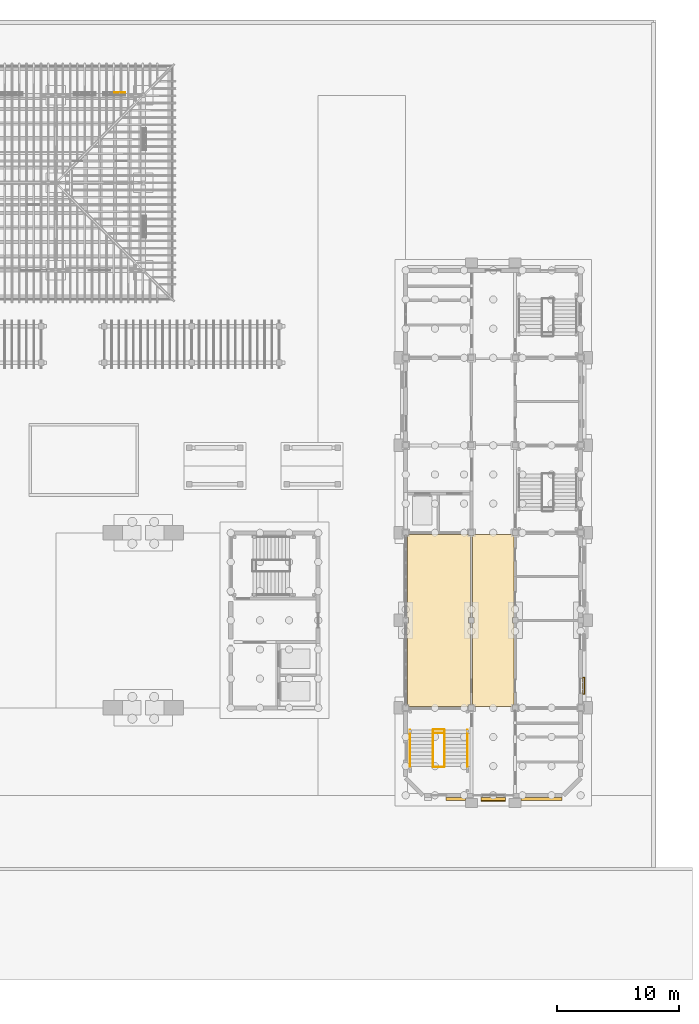
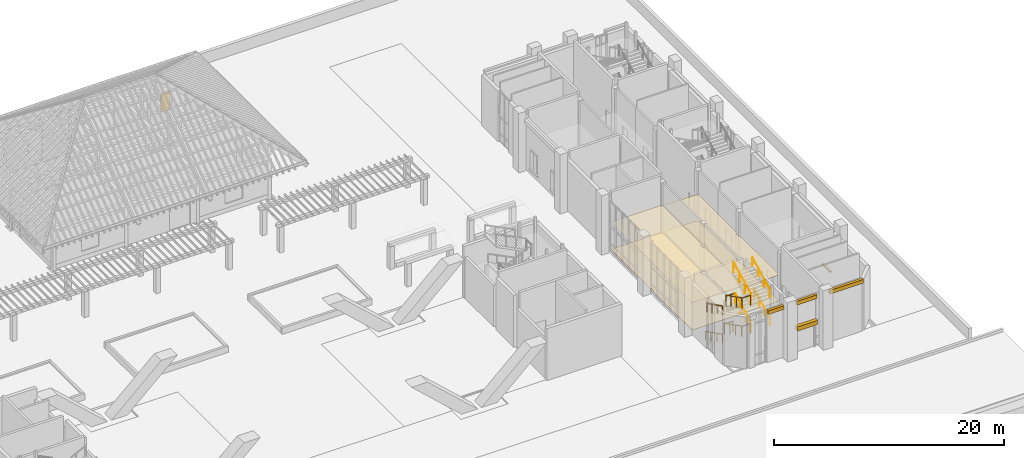
# One storey, part 78 of 84: 12 railings, 10 coverings.
"""IFC4 building model written with IfcOpenShell, lengths in metres."""

from ifc_helpers import new_model, si_unit, direction, frame, origin, origin_2d, place, context, subcontext, project, spatial, polyline, rectangle, circle, outline, extrude, material, layer, layer_set, type_object, element, save


model = new_model("IFC4")

# Units and contexts
model_context = context("Model", 3, precision=1e-05, world=origin(), true_north=direction((0.0, 1.0)))
body_context = subcontext(model_context, "Body", "Model", "MODEL_VIEW")
ifc_project = project(units=[si_unit("LENGTHUNIT", "METRE"), si_unit("AREAUNIT", "SQUARE_METRE"), si_unit("VOLUMEUNIT", "CUBIC_METRE"), si_unit("PLANEANGLEUNIT", "RADIAN"), si_unit("MASSUNIT", "GRAM", prefix="KILO")], contexts=[model_context])

# Site, building, storey
site_placement = place(None, origin())
site = spatial("IfcSite", under=ifc_project, at=site_placement, CompositionType="ELEMENT")
building_placement = place(site_placement, origin())
building = spatial("IfcBuilding", under=site, at=building_placement, Name="Mazhai Court Health Centre", CompositionType="ELEMENT")
storey_placement = place(building_placement, origin())
storey = spatial("IfcBuildingStorey", under=building, at=storey_placement, Name="L00", CompositionType="ELEMENT", Elevation=0.0)

# Coverings
ifc_material_1 = material(Name="Clay brick masonry", Category="masonry")
ifc_layer_1 = layer(ifc_material_1, 0.25)
ifc_layer_set_1 = layer_set([ifc_layer_1], Name="BRICK BAND 250")
covering_type_1 = type_object("IfcCoveringType", Name="BRICK BAND 250", PredefinedType="MOLDING", material=ifc_layer_set_1)
covering_1_placement = place(storey_placement, frame((0.0, 0.0, 5.25)))
element("IfcCovering", 1, at=covering_1_placement, inside=storey, type_object=covering_type_1, Name="EB-V6-L00-Sp1-0", PredefinedType="MOLDING", context=body_context, shape_type="SweptSolid", body=[
    extrude(outline(polyline([(140.699951171875, 6.034912109375), (139.1201171875, 6.034912109375), (139.1201171875, 5.784912109375), (140.699951171875, 5.784912109375), (140.699951171875, 6.034912109375)])), origin(), (0.0, 0.0, 1.0), 0.39990234375),
])
covering_2_placement = place(storey_placement, frame((0.0, 0.0, 5.25)))
element("IfcCovering", 2, at=covering_2_placement, inside=storey, type_object=covering_type_1, Name="EB-V6-L00-Sp2-0", PredefinedType="MOLDING", context=body_context, shape_type="SweptSolid", body=[
    extrude(outline(polyline([(144.0, 6.034912109375), (142.0, 6.034912109375), (142.0, 5.784912109375), (144.0, 5.784912109375), (144.0, 6.034912109375)])), origin(), (0.0, 0.0, 1.0), 0.39990234375),
])
covering_3_placement = place(storey_placement, frame((0.0, 0.0, 5.25)))
element("IfcCovering", 3, at=covering_3_placement, inside=storey, type_object=covering_type_1, Name="EB-V6-L00-Sp3-0", PredefinedType="MOLDING", context=body_context, shape_type="SweptSolid", body=[
    extrude(outline(polyline([(148.6689453125, 6.034912109375), (145.300048828125, 6.034912109375), (145.300048828125, 5.784912109375), (148.6689453125, 5.784912109375), (148.6689453125, 6.034912109375)])), origin(), (0.0, 0.0, 1.0), 0.39990234375),
])
ifc_material_2 = material(Name="Clay brick masonry", Category="masonry")
ifc_layer_2 = layer(ifc_material_2, 0.35009765625)
ifc_layer_set_2 = layer_set([ifc_layer_2], Name="BRICK PORTAL LINTEL 350")
covering_type_2 = type_object("IfcCoveringType", Name="BRICK PORTAL LINTEL 350", PredefinedType="MOLDING", material=ifc_layer_set_2)
covering_4_placement = place(storey_placement, frame((0.0, 0.0, 2.550048828125)))
element("IfcCovering", 4, at=covering_4_placement, inside=storey, type_object=covering_type_2, Name="EL-V6-L00-S", PredefinedType="MOLDING", context=body_context, shape_type="SweptSolid", body=[
    extrude(outline(polyline([(144.0, 6.034912109375), (142.0, 6.034912109375), (142.0, 5.68505859375), (144.0, 5.68505859375), (144.0, 6.034912109375)])), origin(), (0.0, 0.0, 1.0), 0.449951171875),
])
ifc_material_3 = material(Name="Clay brick masonry", Category="masonry")
ifc_layer_3 = layer(ifc_material_3, 0.14990234375)
ifc_layer_set_3 = layer_set([ifc_layer_3], Name="BRICK SILL COURSE 150")
covering_type_3 = type_object("IfcCoveringType", Name="BRICK SILL COURSE 150", PredefinedType="MOLDING", material=ifc_layer_set_3)
covering_5_placement = place(storey_placement, frame((0.0, 0.0, 0.47998046875)))
element("IfcCovering", 5, at=covering_5_placement, inside=storey, type_object=covering_type_3, Name="ES-WN-V6-L00-B10", PredefinedType="MOLDING", context=body_context, shape_type="SweptSolid", body=[
    extrude(outline(polyline([(150.364990234375, 15.89990234375), (150.364990234375, 14.5), (150.514892578125, 14.5), (150.514892578125, 15.89990234375), (150.364990234375, 15.89990234375)])), origin(), (0.0, 0.0, 1.0), 0.1201171875),
])
ifc_material_4 = material(Name="Gypsum plasterboard ceiling")
ifc_layer_4 = layer(ifc_material_4, 0.02001953125)
ifc_layer_set_4 = layer_set([ifc_layer_4], Name="CEILING GYPSUM BOARD 20")
covering_type_4 = type_object("IfcCoveringType", Name="CEILING GYPSUM BOARD 20", PredefinedType="CEILING", material=ifc_layer_set_4)
covering_6_placement = place(storey_placement, frame((0.0, 0.0, 2.89990234375)))
element("IfcCovering", 6, at=covering_6_placement, inside=storey, type_object=covering_type_4, Name="ceil-V6-L00-A0-health-education-hall", PredefinedType="CEILING", context=body_context, shape_type="SweptSolid", body=[
    extrude(outline(polyline([(141.125, 20.375), (140.97509765625, 20.375), (140.97509765625, 20.824951171875), (141.125, 20.824951171875), (141.125, 27.574951171875), (140.97509765625, 27.574951171875), (140.97509765625, 27.675048828125), (136.02490234375, 27.675048828125), (136.02490234375, 27.574951171875), (135.965087890625, 27.574951171875), (135.965087890625, 20.824951171875), (136.02490234375, 20.824951171875), (136.02490234375, 20.375), (135.965087890625, 20.375), (135.965087890625, 13.625), (136.02490234375, 13.625), (136.02490234375, 13.52490234375), (140.97509765625, 13.52490234375), (140.97509765625, 13.625), (141.125, 13.625), (141.125, 20.375)])), origin(), (0.0, 0.0, 1.0), 0.02001953125),
])
ifc_material_5 = material(Name="Mineral fibre ceiling tile")
ifc_layer_5 = layer(ifc_material_5, 0.014892578125)
ifc_layer_set_5 = layer_set([ifc_layer_5], Name="CEILING MINERAL FIBRE TILE 15")
covering_type_5 = type_object("IfcCoveringType", Name="CEILING MINERAL FIBRE TILE 15", PredefinedType="CEILING", material=ifc_layer_set_5)
covering_7_placement = place(storey_placement, frame((0.0, 0.0, 2.800048828125)))
element("IfcCovering", 7, at=covering_7_placement, inside=storey, type_object=covering_type_5, Name="ceil-V6-L00-corridor-0", PredefinedType="CEILING", context=body_context, shape_type="SweptSolid", body=[
    extrude(outline(polyline([(144.574951171875, 13.52490234375), (144.574951171875, 13.625), (144.72509765625, 13.625), (144.72509765625, 20.375), (144.574951171875, 20.375), (144.574951171875, 20.824951171875), (144.72509765625, 20.824951171875), (144.72509765625, 27.574951171875), (144.574951171875, 27.574951171875), (144.574951171875, 27.675048828125), (141.425048828125, 27.675048828125), (141.425048828125, 27.574951171875), (141.27490234375, 27.574951171875), (141.27490234375, 20.824951171875), (141.425048828125, 20.824951171875), (141.425048828125, 20.375), (141.27490234375, 20.375), (141.27490234375, 13.625), (141.425048828125, 13.625), (141.425048828125, 13.52490234375), (144.574951171875, 13.52490234375)])), origin(), (0.0, 0.0, 1.0), 0.014892578125),
])
ifc_material_6 = material(Name="Linoleum flooring")
ifc_layer_6 = layer(ifc_material_6, 0.02001953125)
ifc_layer_set_6 = layer_set([ifc_layer_6], Name="FLOOR FINISH LINOLEUM FLOORING 20")
covering_type_6 = type_object("IfcCoveringType", Name="FLOOR FINISH LINOLEUM FLOORING 20", PredefinedType="FLOORING", material=ifc_layer_set_6)
covering_8_placement = place(storey_placement, origin())
element("IfcCovering", 8, at=covering_8_placement, inside=storey, type_object=covering_type_6, Name="floor-V6-L00-A0-health-education-hall", PredefinedType="FLOORING", context=body_context, shape_type="SweptSolid", body=[
    extrude(outline(polyline([(141.125, 20.375), (140.97509765625, 20.375), (140.97509765625, 20.824951171875), (141.125, 20.824951171875), (141.125, 27.574951171875), (140.97509765625, 27.574951171875), (140.97509765625, 27.675048828125), (136.02490234375, 27.675048828125), (136.02490234375, 27.574951171875), (135.965087890625, 27.574951171875), (135.965087890625, 20.824951171875), (136.02490234375, 20.824951171875), (136.02490234375, 20.375), (135.965087890625, 20.375), (135.965087890625, 13.625), (136.02490234375, 13.625), (136.02490234375, 13.52490234375), (140.97509765625, 13.52490234375), (140.97509765625, 13.625), (141.125, 13.625), (141.125, 20.375)])), origin(), (0.0, 0.0, 1.0), 0.02001953125),
])
ifc_material_7 = material(Name="Terrazzo flooring")
ifc_layer_7 = layer(ifc_material_7, 0.0400390625)
ifc_layer_set_7 = layer_set([ifc_layer_7], Name="FLOOR FINISH TERRAZZO FLOORING 40")
covering_type_7 = type_object("IfcCoveringType", Name="FLOOR FINISH TERRAZZO FLOORING 40", PredefinedType="FLOORING", material=ifc_layer_set_7)
covering_9_placement = place(storey_placement, origin())
element("IfcCovering", 9, at=covering_9_placement, inside=storey, type_object=covering_type_7, Name="floor-V6-L00-corridor-0", PredefinedType="FLOORING", context=body_context, shape_type="SweptSolid", body=[
    extrude(outline(polyline([(144.574951171875, 13.52490234375), (144.574951171875, 13.625), (144.72509765625, 13.625), (144.72509765625, 20.375), (144.574951171875, 20.375), (144.574951171875, 20.824951171875), (144.72509765625, 20.824951171875), (144.72509765625, 27.574951171875), (144.574951171875, 27.574951171875), (144.574951171875, 27.675048828125), (141.425048828125, 27.675048828125), (141.425048828125, 27.574951171875), (141.27490234375, 27.574951171875), (141.27490234375, 20.824951171875), (141.425048828125, 20.824951171875), (141.425048828125, 20.375), (141.27490234375, 20.375), (141.27490234375, 13.625), (141.425048828125, 13.625), (141.425048828125, 13.52490234375), (144.574951171875, 13.52490234375)])), origin(), (0.0, 0.0, 1.0), 0.0400390625),
])
ifc_material_8 = material(Name="Aluminium louvre", Category="aluminium")
ifc_layer_8 = layer(ifc_material_8, 0.0400390625)
ifc_layer_set_8 = layer_set([ifc_layer_8], Name="SHUTTER LEAF 600x40")
covering_type_8 = type_object("IfcCoveringType", Name="SHUTTER LEAF 600x40", PredefinedType="CLADDING", material=ifc_layer_set_8)
covering_10_placement = place(storey_placement, frame((112.25, 64.030029296875, 1.0), z_axis=(0.0, 0.0, 1.0), x_axis=(1.0, 0.0, 0.0)))
element("IfcCovering", 10, at=covering_10_placement, inside=storey, type_object=covering_type_8, Name="LV-V3-N2bb", PredefinedType="CLADDING", context=body_context, shape_type="SweptSolid", body=[
    extrude(rectangle(XDim=0.89990234375, YDim=0.0400390625, at=origin_2d()), origin(), (0.0, 0.0, 1.0), 1.89990234375),
])

# Railings
ifc_material_9 = material(Name="Steel IS 2062 E250", Category="steel")
railing_type_1 = type_object("IfcRailingType", Name="STAIR GUARD 1100", PredefinedType="GUARDRAIL", material=ifc_material_9)
railing_1_placement = place(storey_placement, frame((138.044921875, 11.574951171875, 0.14990234375)))
element("IfcRailing", 11, at=railing_1_placement, inside=storey, type_object=railing_type_1, Name="L00 ST8 stair guard 1", PredefinedType="GUARDRAIL", context=body_context, shape_type="SweptSolid", body=[
    extrude(circle(Radius=0.02392578125, at=origin_2d()), frame((0.0, 0.0, 1.076171875), z_axis=(0.0, -0.894427191, 0.4472135955), x_axis=(1.0, 0.0, 0.0)), (0.0, 0.0, 1.0), 3.35400390625),
    extrude(circle(Radius=0.02099609375, at=origin_2d()), origin(), (0.0, 0.0, 1.0), 1.052001953125),
    extrude(circle(Radius=0.02099609375, at=origin_2d()), frame((0.0, -1.0, 0.5)), (0.0, 0.0, 1.0), 1.052001953125),
    extrude(circle(Radius=0.02099609375, at=origin_2d()), frame((0.0, -2.0, 1.0)), (0.0, 0.0, 1.0), 1.052001953125),
    extrude(circle(Radius=0.02099609375, at=origin_2d()), frame((0.0, -3.0, 1.5)), (0.0, 0.0, 1.0), 1.052001953125),
])
railing_2_placement = place(storey_placement, frame((138.094970703125, 8.52490234375, 1.64990234375)))
element("IfcRailing", 12, at=railing_2_placement, inside=storey, type_object=railing_type_1, Name="L00 ST8 stair guard 2", PredefinedType="GUARDRAIL", context=body_context, shape_type="SweptSolid", body=[
    extrude(circle(Radius=0.02392578125, at=origin_2d()), frame((0.0, 0.0, 1.076171875), z_axis=(1.0, 0.0, 0.0), x_axis=(0.0, 1.0, 0.0)), (0.0, 0.0, 1.0), 0.85009765625),
    extrude(circle(Radius=0.02099609375, at=origin_2d()), origin(), (0.0, 0.0, 1.0), 1.052001953125),
    extrude(circle(Radius=0.02099609375, at=origin_2d()), frame((0.85009765625, 0.0, 0.0)), (0.0, 0.0, 1.0), 1.052001953125),
])
railing_3_placement = place(storey_placement, frame((138.9951171875, 8.574951171875, 1.800048828125)))
element("IfcRailing", 13, at=railing_3_placement, inside=storey, type_object=railing_type_1, Name="L00 ST8 stair guard 3", PredefinedType="GUARDRAIL", context=body_context, shape_type="SweptSolid", body=[
    extrude(circle(Radius=0.02392578125, at=origin_2d()), frame((0.0, 0.0, 1.076171875), z_axis=(0.0, 0.89444336626, 0.447181243517), x_axis=(-1.0, 0.0, 0.0)), (0.0, 0.0, 1.0), 3.0185546875),
    extrude(circle(Radius=0.02099609375, at=origin_2d()), origin(), (0.0, 0.0, 1.0), 1.052001953125),
    extrude(circle(Radius=0.02099609375, at=origin_2d()), frame((0.0, 0.89990234375, 0.449951171875)), (0.0, 0.0, 1.0), 1.052001953125),
    extrude(circle(Radius=0.02099609375, at=origin_2d()), frame((0.0, 1.800048828125, 0.89990234375)), (0.0, 0.0, 1.0), 1.052001953125),
    extrude(circle(Radius=0.02099609375, at=origin_2d()), frame((0.0, 2.699951171875, 1.349853515625)), (0.0, 0.0, 1.0), 1.052001953125),
])
railing_4_placement = place(storey_placement, frame((138.094970703125, 11.324951171875, 3.14990234375)))
element("IfcRailing", 14, at=railing_4_placement, inside=storey, type_object=railing_type_1, Name="L00 ST8 stair guard 4", PredefinedType="GUARDRAIL", context=body_context, shape_type="SweptSolid", body=[
    extrude(circle(Radius=0.02392578125, at=origin_2d()), frame((0.0, 0.0, 1.076171875), z_axis=(1.0, 0.0, 0.0), x_axis=(0.0, 1.0, 0.0)), (0.0, 0.0, 1.0), 0.85009765625),
    extrude(circle(Radius=0.02099609375, at=origin_2d()), origin(), (0.0, 0.0, 1.0), 1.052001953125),
    extrude(circle(Radius=0.02099609375, at=origin_2d()), frame((0.85009765625, 0.0, 0.0)), (0.0, 0.0, 1.0), 1.052001953125),
])
railing_5_placement = place(storey_placement, frame((138.044921875, 11.27490234375, 3.300048828125)))
element("IfcRailing", 15, at=railing_5_placement, inside=storey, type_object=railing_type_1, Name="L00 ST8 stair guard 5", PredefinedType="GUARDRAIL", context=body_context, shape_type="SweptSolid", body=[
    extrude(circle(Radius=0.02392578125, at=origin_2d()), frame((0.0, 0.0, 1.076171875), z_axis=(0.0, -0.89444336626, 0.447181243517), x_axis=(1.0, 0.0, 0.0)), (0.0, 0.0, 1.0), 3.0185546875),
    extrude(circle(Radius=0.02099609375, at=origin_2d()), origin(), (0.0, 0.0, 1.0), 1.052001953125),
    extrude(circle(Radius=0.02099609375, at=origin_2d()), frame((0.0, -0.89990234375, 0.449951171875)), (0.0, 0.0, 1.0), 1.052001953125),
    extrude(circle(Radius=0.02099609375, at=origin_2d()), frame((0.0, -1.800048828125, 0.89990234375)), (0.0, 0.0, 1.0), 1.052001953125),
    extrude(circle(Radius=0.02099609375, at=origin_2d()), frame((0.0, -2.699951171875, 1.349853515625)), (0.0, 0.0, 1.0), 1.052001953125),
])
railing_6_placement = place(storey_placement, frame((138.094970703125, 8.52490234375, 4.64990234375)))
element("IfcRailing", 16, at=railing_6_placement, inside=storey, type_object=railing_type_1, Name="L00 ST8 stair guard 6", PredefinedType="GUARDRAIL", context=body_context, shape_type="SweptSolid", body=[
    extrude(circle(Radius=0.02392578125, at=origin_2d()), frame((0.0, 0.0, 1.076171875), z_axis=(1.0, 0.0, 0.0), x_axis=(0.0, 1.0, 0.0)), (0.0, 0.0, 1.0), 0.85009765625),
    extrude(circle(Radius=0.02099609375, at=origin_2d()), origin(), (0.0, 0.0, 1.0), 1.052001953125),
    extrude(circle(Radius=0.02099609375, at=origin_2d()), frame((0.85009765625, 0.0, 0.0)), (0.0, 0.0, 1.0), 1.052001953125),
])
railing_7_placement = place(storey_placement, frame((138.9951171875, 8.574951171875, 4.800048828125)))
element("IfcRailing", 17, at=railing_7_placement, inside=storey, type_object=railing_type_1, Name="L00 ST8 stair guard 7", PredefinedType="GUARDRAIL", context=body_context, shape_type="SweptSolid", body=[
    extrude(circle(Radius=0.02392578125, at=origin_2d()), frame((0.0, 0.0, 1.076171875), z_axis=(0.0, 0.894427191, 0.4472135955), x_axis=(-1.0, 0.0, 0.0)), (0.0, 0.0, 1.0), 3.35400390625),
    extrude(circle(Radius=0.02099609375, at=origin_2d()), origin(), (0.0, 0.0, 1.0), 1.052001953125),
    extrude(circle(Radius=0.02099609375, at=origin_2d()), frame((0.0, 1.0, 0.5)), (0.0, 0.0, 1.0), 1.052001953125),
    extrude(circle(Radius=0.02099609375, at=origin_2d()), frame((0.0, 2.0, 1.0)), (0.0, 0.0, 1.0), 1.052001953125),
    extrude(circle(Radius=0.02099609375, at=origin_2d()), frame((0.0, 3.0, 1.5)), (0.0, 0.0, 1.0), 1.052001953125),
])
railing_8_placement = place(storey_placement, frame((138.094970703125, 11.625, 0.0)))
element("IfcRailing", 18, at=railing_8_placement, inside=storey, type_object=railing_type_1, Name="L00 ST8 stair guard 8", PredefinedType="GUARDRAIL", context=body_context, shape_type="SweptSolid", body=[
    extrude(circle(Radius=0.02392578125, at=origin_2d()), frame((0.0, 0.0, 1.076171875), z_axis=(1.0, 0.0, 0.0), x_axis=(0.0, 1.0, 0.0)), (0.0, 0.0, 1.0), 0.85009765625),
    extrude(circle(Radius=0.02099609375, at=origin_2d()), origin(), (0.0, 0.0, 1.0), 1.052001953125),
    extrude(circle(Radius=0.02099609375, at=origin_2d()), frame((0.85009765625, 0.0, 0.0)), (0.0, 0.0, 1.0), 1.052001953125),
])
ifc_material_10 = material(Name="Steel IS 2062 E250", Category="steel")
railing_type_2 = type_object("IfcRailingType", Name="STAIR HANDRAIL 900", PredefinedType="HANDRAIL", material=ifc_material_10)
railing_9_placement = place(storey_placement, frame((136.14501953125, 11.574951171875, 0.14990234375)))
element("IfcRailing", 19, at=railing_9_placement, inside=storey, type_object=railing_type_2, Name="L00 ST8 stair handrail 1", PredefinedType="HANDRAIL", context=body_context, shape_type="SweptSolid", body=[
    extrude(circle(Radius=0.02392578125, at=origin_2d()), frame((0.0, 0.0, 0.8759765625), z_axis=(0.0, -0.894427191, 0.4472135955), x_axis=(1.0, 0.0, 0.0)), (0.0, 0.0, 1.0), 3.35400390625),
    extrude(circle(Radius=0.02099609375, at=origin_2d()), origin(), (0.0, 0.0, 1.0), 0.851806640625),
    extrude(circle(Radius=0.02099609375, at=origin_2d()), frame((0.0, -1.0, 0.5)), (0.0, 0.0, 1.0), 0.851806640625),
    extrude(circle(Radius=0.02099609375, at=origin_2d()), frame((0.0, -2.0, 1.0)), (0.0, 0.0, 1.0), 0.851806640625),
    extrude(circle(Radius=0.02099609375, at=origin_2d()), frame((0.0, -3.0, 1.5)), (0.0, 0.0, 1.0), 0.851806640625),
])
railing_10_placement = place(storey_placement, frame((140.89501953125, 8.574951171875, 1.800048828125)))
element("IfcRailing", 20, at=railing_10_placement, inside=storey, type_object=railing_type_2, Name="L00 ST8 stair handrail 2", PredefinedType="HANDRAIL", context=body_context, shape_type="SweptSolid", body=[
    extrude(circle(Radius=0.02392578125, at=origin_2d()), frame((0.0, 0.0, 0.8759765625), z_axis=(0.0, 0.89444336626, 0.447181243517), x_axis=(-1.0, 0.0, 0.0)), (0.0, 0.0, 1.0), 3.0185546875),
    extrude(circle(Radius=0.02099609375, at=origin_2d()), origin(), (0.0, 0.0, 1.0), 0.851806640625),
    extrude(circle(Radius=0.02099609375, at=origin_2d()), frame((0.0, 0.89990234375, 0.449951171875)), (0.0, 0.0, 1.0), 0.851806640625),
    extrude(circle(Radius=0.02099609375, at=origin_2d()), frame((0.0, 1.800048828125, 0.89990234375)), (0.0, 0.0, 1.0), 0.851806640625),
    extrude(circle(Radius=0.02099609375, at=origin_2d()), frame((0.0, 2.699951171875, 1.349853515625)), (0.0, 0.0, 1.0), 0.851806640625),
])
railing_11_placement = place(storey_placement, frame((136.14501953125, 11.27490234375, 3.300048828125)))
element("IfcRailing", 21, at=railing_11_placement, inside=storey, type_object=railing_type_2, Name="L00 ST8 stair handrail 3", PredefinedType="HANDRAIL", context=body_context, shape_type="SweptSolid", body=[
    extrude(circle(Radius=0.02392578125, at=origin_2d()), frame((0.0, 0.0, 0.8759765625), z_axis=(0.0, -0.89444336626, 0.447181243517), x_axis=(1.0, 0.0, 0.0)), (0.0, 0.0, 1.0), 3.0185546875),
    extrude(circle(Radius=0.02099609375, at=origin_2d()), origin(), (0.0, 0.0, 1.0), 0.851806640625),
    extrude(circle(Radius=0.02099609375, at=origin_2d()), frame((0.0, -0.89990234375, 0.449951171875)), (0.0, 0.0, 1.0), 0.851806640625),
    extrude(circle(Radius=0.02099609375, at=origin_2d()), frame((0.0, -1.800048828125, 0.89990234375)), (0.0, 0.0, 1.0), 0.851806640625),
    extrude(circle(Radius=0.02099609375, at=origin_2d()), frame((0.0, -2.699951171875, 1.349853515625)), (0.0, 0.0, 1.0), 0.851806640625),
])
railing_12_placement = place(storey_placement, frame((140.89501953125, 8.574951171875, 4.800048828125)))
element("IfcRailing", 22, at=railing_12_placement, inside=storey, type_object=railing_type_2, Name="L00 ST8 stair handrail 4", PredefinedType="HANDRAIL", context=body_context, shape_type="SweptSolid", body=[
    extrude(circle(Radius=0.02392578125, at=origin_2d()), frame((0.0, 0.0, 0.8759765625), z_axis=(0.0, 0.894427191, 0.4472135955), x_axis=(-1.0, 0.0, 0.0)), (0.0, 0.0, 1.0), 3.35400390625),
    extrude(circle(Radius=0.02099609375, at=origin_2d()), origin(), (0.0, 0.0, 1.0), 0.851806640625),
    extrude(circle(Radius=0.02099609375, at=origin_2d()), frame((0.0, 1.0, 0.5)), (0.0, 0.0, 1.0), 0.851806640625),
    extrude(circle(Radius=0.02099609375, at=origin_2d()), frame((0.0, 2.0, 1.0)), (0.0, 0.0, 1.0), 0.851806640625),
    extrude(circle(Radius=0.02099609375, at=origin_2d()), frame((0.0, 3.0, 1.5)), (0.0, 0.0, 1.0), 0.851806640625),
])

save(model, "model.ifc")
